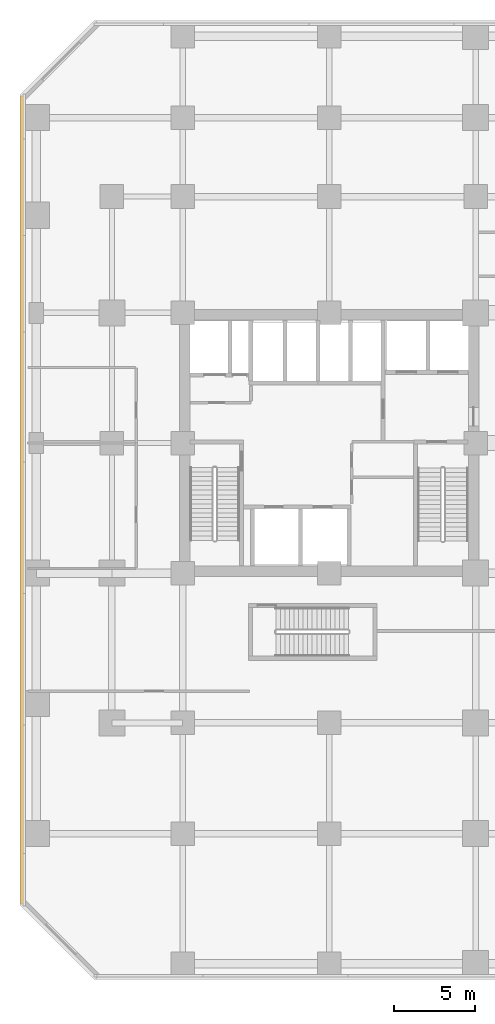
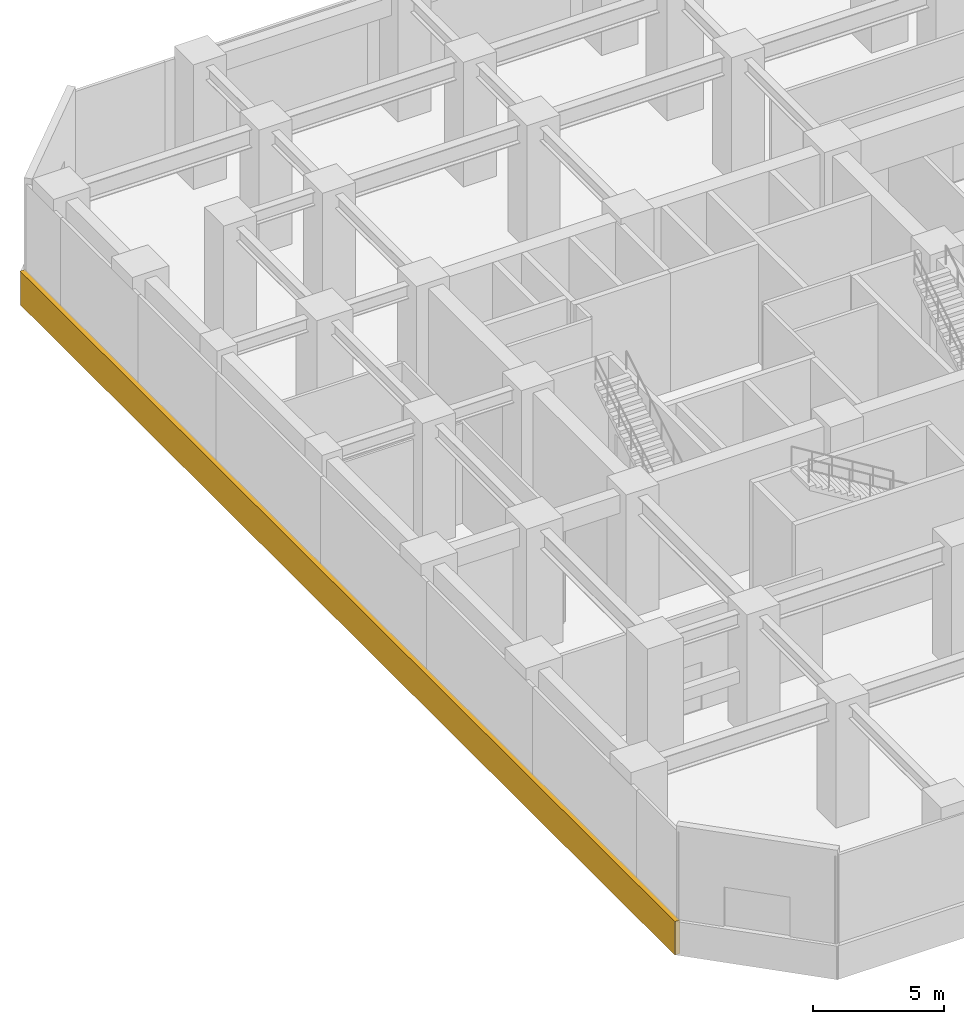
# One storey, part 8 of 12: 1 covering.
"""IFC4 building model written with IfcOpenShell, lengths in metres."""

from ifc_helpers import new_model, si_unit, direction, frame, origin, origin_2d, place, context, subcontext, project, spatial, rectangle, extrude, source, transform, mapped, material, layer, layer_set, type_object, element, save


model = new_model("IFC4")

# Units and contexts
model_context = context("Model", 3, precision=1e-05, world=origin(), true_north=direction((0.0, 1.0)))
body_context = subcontext(model_context, "Body", "Model", "MODEL_VIEW")
ifc_project = project(units=[si_unit("LENGTHUNIT", "METRE"), si_unit("AREAUNIT", "SQUARE_METRE"), si_unit("VOLUMEUNIT", "CUBIC_METRE"), si_unit("PLANEANGLEUNIT", "RADIAN"), si_unit("MASSUNIT", "GRAM", prefix="KILO")], contexts=[model_context])

# Site, building, storey
site_placement = place(None, origin())
site = spatial("IfcSite", under=ifc_project, at=site_placement, CompositionType="ELEMENT")
building_placement = place(site_placement, origin())
building = spatial("IfcBuilding", under=site, at=building_placement, Name="Torre Montelarca", CompositionType="ELEMENT")
storey_placement = place(building_placement, frame((0.0, 0.0, 22.199951171875)))
storey = spatial("IfcBuildingStorey", under=building, at=storey_placement, Name="L05", CompositionType="ELEMENT", Elevation=22.199951171875)

# Covering
ifc_material = material(Name="Bush-hammered warm white precast concrete C45/55", Category="concrete")
ifc_layer = layer(ifc_material, 0.139892578125, Name="Bush-hammered warm white precast concrete C45/55", Category="concrete")
ifc_layer_set = layer_set([ifc_layer], Name="Bush-hammered warm white precast concrete C45/55")
covering_type = type_object("IfcCoveringType", Name="COV-TRAY-CLAD", PredefinedType="CLADDING", material=ifc_layer_set)
shared_shape = source(origin(), body_context, "Body", "SweptSolid", [
    extrude(rectangle(XDim=49.919921875, YDim=0.219970703125, at=origin_2d()), origin(), (0.0, 0.0, 1.0), 1.56005859375),
])
covering_placement = place(storey_placement, frame((-0.8701171875, 28.5, -0.39990234375), z_axis=(0.0, 0.0, 1.0), x_axis=(0.0, -1.0, 0.0)))
element("IfcCovering", 1, at=covering_placement, inside=storey, type_object=covering_type, Name="L05 Architectural White Spandrel Tray Band PODBOT-10", PredefinedType="CLADDING", context=body_context, shape_type="MappedRepresentation", body=[
    mapped(shared_shape, transform((0.0, 0.0, 0.0), scale=1.0)),
])

save(model, "model.ifc")
